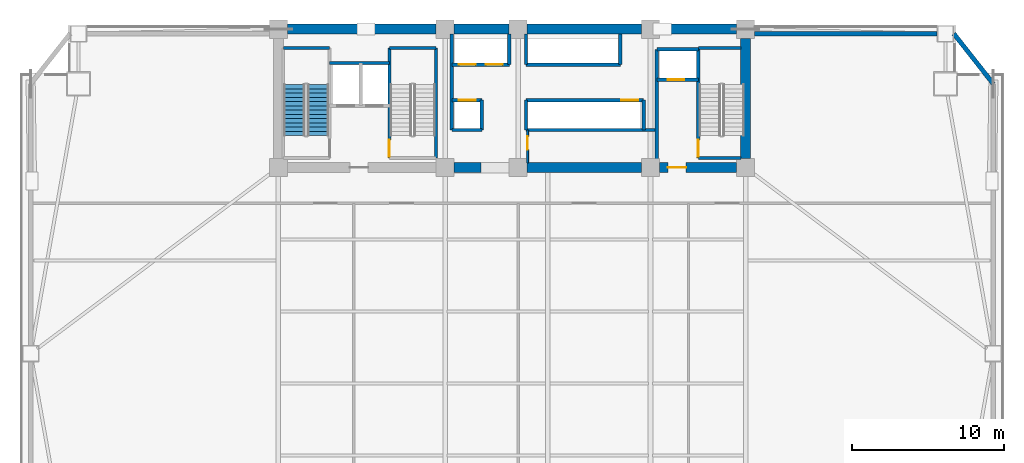
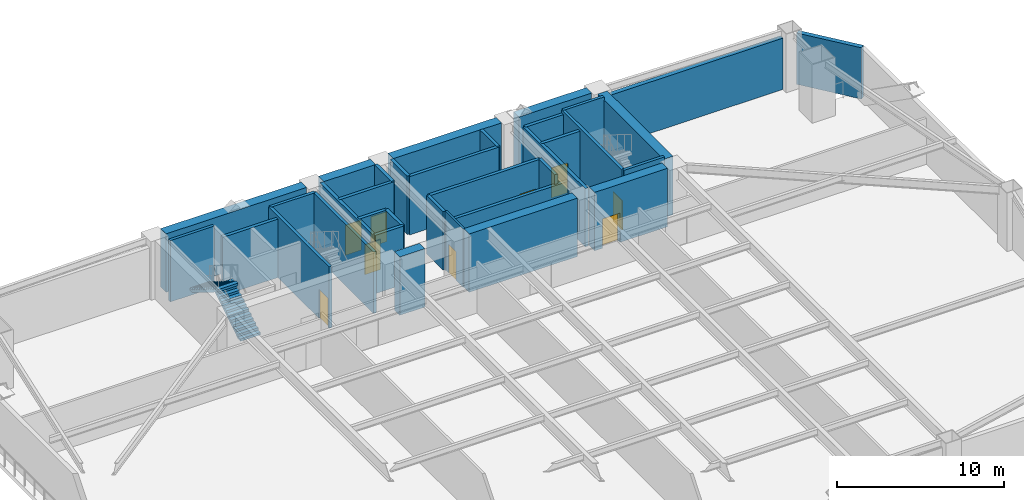
# One storey, part 3 of 9: 35 walls, 9 doors, 2 stair flights, 9 openings, 1 element without a shape of its own.
"""IFC4 building model written with IfcOpenShell, lengths in metres."""

from ifc_helpers import new_model, si_unit, direction, frame, frame_2d, origin, place, context, subcontext, project, spatial, polyline, rectangle, outline, extrude, source, transform, mapped, material, layer, layer_set, type_object, element, fill, aggregate, save


model = new_model("IFC4")

# Units and contexts
model_context = context("Model", 3, precision=1e-05, world=origin(), true_north=direction((0.0, 1.0)))
body_context = subcontext(model_context, "Body", "Model", "MODEL_VIEW")
ifc_project = project(units=[si_unit("LENGTHUNIT", "METRE"), si_unit("AREAUNIT", "SQUARE_METRE"), si_unit("VOLUMEUNIT", "CUBIC_METRE"), si_unit("PLANEANGLEUNIT", "RADIAN"), si_unit("MASSUNIT", "GRAM", prefix="KILO")], contexts=[model_context])

# Site, building, storey
site_placement = place(None, origin())
site = spatial("IfcSite", under=ifc_project, at=site_placement, CompositionType="ELEMENT")
building_placement = place(site_placement, origin())
building = spatial("IfcBuilding", under=site, at=building_placement, Name="Giltprow Tower", CompositionType="ELEMENT")
storey_placement = place(building_placement, frame((0.0, 0.0, 48.800048828125)))
storey = spatial("IfcBuildingStorey", under=building, at=storey_placement, Name="L12", CompositionType="ELEMENT", Elevation=48.800048828125)

# Walls
ifc_material_1 = material(Name="Precast concrete C40", Category="concrete")
ifc_layer_1 = layer(ifc_material_1, 0.300048828125, Name="Precast concrete C40")
ifc_layer_set_1 = layer_set([ifc_layer_1], Name="Precast concrete C40")
wall_type_1 = type_object("IfcWallType", Name="EW-NOTCH-CHAMFER-300", PredefinedType="SOLIDWALL", material=ifc_layer_set_1)
wall_1_placement = place(storey_placement, frame((66.830078125, 42.951904296875, 0.0), z_axis=(0.0, 0.0, 1.0), x_axis=(-0.618820039529, 0.785532786507, 0.0)))
element("IfcWall", 1, at=wall_1_placement, inside=storey, type_object=wall_type_1, Name="L12 Corner Notch Wall NE", PredefinedType="SOLIDWALL", context=body_context, shape_type="SweptSolid", body=[
    extrude(rectangle(XDim=4.198486328125, YDim=0.300048828125, at=frame_2d((2.09912109375, 0.0))), origin(), (0.0, 0.0, 1.0), 3.760009765625),
])
ifc_layer_2 = layer(ifc_material_1, 0.300048828125, Name="Precast concrete C40")
ifc_layer_set_2 = layer_set([ifc_layer_2], Name="Precast concrete C40")
wall_type_2 = type_object("IfcWallType", Name="EW-REF-LOUVRE-300", PredefinedType="SOLIDWALL", material=ifc_layer_set_2)
wall_2_placement = place(storey_placement, frame((51.14990234375, 46.25, 0.0), z_axis=(0.0, 0.0, 1.0), x_axis=(1.0, 0.0, 0.0)))
element("IfcWall", 2, at=wall_2_placement, inside=storey, type_object=wall_type_2, Name="L12 North-East Wing Wall", PredefinedType="SOLIDWALL", context=body_context, shape_type="SweptSolid", body=[
    extrude(rectangle(XDim=11.982177734375, YDim=0.300048828125, at=frame_2d((5.9912109375, 0.0))), origin(), (0.0, 0.0, 1.0), 3.760009765625),
])
ifc_material_2 = material(Name="Concrete C40", Category="concrete")
ifc_layer_3 = layer(ifc_material_2, 0.219970703125, Name="Concrete C40")
ifc_layer_set_3 = layer_set([ifc_layer_3], Name="Concrete C40")
wall_type_3 = type_object("IfcWallType", Name="IW-SHAFT-220", PredefinedType="SOLIDWALL", material=ifc_layer_set_3)
wall_3_placement = place(storey_placement, frame((23.219970703125, 44.320068359375, 0.0), z_axis=(0.0, 0.0, 1.0), x_axis=(1.0, 0.0, 0.0)))
element("IfcWall", 3, at=wall_3_placement, inside=storey, type_object=wall_type_3, Name="L12 FFL1-SVL1 Back Shaft Wall", PredefinedType="SOLIDWALL", context=body_context, shape_type="SweptSolid", body=[
    extrude(rectangle(XDim=3.919921875, YDim=0.219970703125, at=frame_2d((1.9599609375, 0.0))), origin(), (0.0, 0.0, 1.0), 4.280029296875),
])

# Wall, opening, door
wall_4_placement = place(storey_placement, frame((44.719970703125, 43.219970703125, 0.0), z_axis=(0.0, 0.0, 1.0), x_axis=(1.0, 0.0, 0.0)))
wall_4 = element("IfcWall", 4, at=wall_4_placement, inside=storey, type_object=wall_type_3, Name="L12 FFL2 Front Shaft Wall", PredefinedType="SOLIDWALL", context=body_context, shape_type="SweptSolid", body=[
    extrude(rectangle(XDim=2.719970703125, YDim=0.219970703125, at=frame_2d((1.35986328125, 0.0))), origin(), (0.0, 0.0, 1.0), 4.280029296875),
])
opening_1_placement = place(wall_4_placement, frame((0.699951171875, 0.0, 0.0)))
opening_1 = element("IfcOpeningElement", 5, at=opening_1_placement, cuts=wall_4, Name="Opening LD-11", PredefinedType="OPENING", context=body_context, shape_type="SweptSolid", body=[
    extrude(rectangle(XDim=1.10009765625, YDim=2.199951171875, at=frame_2d((0.550048828125, 1.10009765625))), frame((0.0, 0.119873046875, 0.0), z_axis=(0.0, -1.0, 0.0), x_axis=(1.0, 0.0, 0.0)), (0.0, 0.0, 1.0), 0.239990234375),
])
ifc_material_3 = material(Name="Stainless steel", Category="steel")
door_type_1 = type_object("IfcDoorType", Name="DR-LIFT-LD1100", OperationType="SLIDING_TO_LEFT", PredefinedType="DOOR", material=ifc_material_3)
shared_shape_1 = source(origin(), body_context, "Body", "SweptSolid", [
    extrude(rectangle(XDim=1.10009765625, YDim=2.199951171875, at=frame_2d((0.550048828125, 1.10009765625))), frame((0.0, 0.02490234375, 0.0), z_axis=(0.0, -1.0, 0.0), x_axis=(1.0, 0.0, 0.0)), (0.0, 0.0, 1.0), 0.050048828125),
])
door_1_placement = place(opening_1_placement, origin())
door_1 = element("IfcDoor", 6, at=door_1_placement, inside=storey, type_object=door_type_1, Name="L12 FFL2 Landing Door", OperationType="SLIDING_TO_LEFT", OverallHeight=2.199951171875, OverallWidth=1.10009765625, PredefinedType="DOOR", context=body_context, shape_type="MappedRepresentation", body=[
    mapped(shared_shape_1, transform((0.0, 0.0, 0.0), x_axis=(1.0, 0.0, 0.0), y_axis=(0.0, 1.0, 0.0), z_axis=(0.0, 0.0, 1.0), scale=1.0)),
])
fill(opening_1, door_1)

# Walls
wall_5_placement = place(storey_placement, frame((44.719970703125, 45.219970703125, 0.0), z_axis=(0.0, 0.0, 1.0), x_axis=(1.0, 0.0, 0.0)))
element("IfcWall", 7, at=wall_5_placement, inside=storey, type_object=wall_type_3, Name="L12 FFL2 Back Shaft Wall", PredefinedType="SOLIDWALL", context=body_context, shape_type="SweptSolid", body=[
    extrude(rectangle(XDim=2.719970703125, YDim=0.219970703125, at=frame_2d((1.35986328125, 0.0))), origin(), (0.0, 0.0, 1.0), 4.280029296875),
])
wall_6_placement = place(storey_placement, frame((44.719970703125, 37.7548828125, 0.0), z_axis=(0.0, 0.0, 1.0), x_axis=(0.0, 1.0, 0.0)))
element("IfcWall", 8, at=wall_6_placement, inside=storey, type_object=wall_type_3, Name="L12 East Firefighting Lobby West Wall", PredefinedType="SOLIDWALL", context=body_context, shape_type="SweptSolid", body=[
    extrude(rectangle(XDim=7.465087890625, YDim=0.219970703125, at=frame_2d((3.732421875, 0.0))), origin(), (0.0, 0.0, 1.0), 4.280029296875),
])

# Wall, openings, doors
wall_7_placement = place(storey_placement, frame((31.25, 44.219970703125, 0.0), z_axis=(0.0, 0.0, 1.0), x_axis=(1.0, 0.0, 0.0)))
wall_7 = element("IfcWall", 9, at=wall_7_placement, inside=storey, type_object=wall_type_3, Name="L12 North West Lift Shaft Front Wall", PredefinedType="SOLIDWALL", context=body_context, shape_type="SweptSolid", body=[
    extrude(rectangle(XDim=3.77001953125, YDim=0.219970703125, at=frame_2d((1.885009765625, 0.0))), origin(), (0.0, 0.0, 1.0), 4.280029296875),
])
opening_2_placement = place(wall_7_placement, frame((0.4599609375, 0.0, 0.0)))
opening_2 = element("IfcOpeningElement", 10, at=opening_2_placement, cuts=wall_7, Name="Opening LD-11", PredefinedType="OPENING", context=body_context, shape_type="SweptSolid", body=[
    extrude(rectangle(XDim=1.10009765625, YDim=2.199951171875, at=frame_2d((0.550048828125, 1.10009765625))), frame((0.0, 0.119873046875, 0.0), z_axis=(0.0, -1.0, 0.0), x_axis=(1.0, 0.0, 0.0)), (0.0, 0.0, 1.0), 0.239990234375),
])
opening_3_placement = place(wall_7_placement, frame((2.239990234375, 0.0, 0.0)))
opening_3 = element("IfcOpeningElement", 11, at=opening_3_placement, cuts=wall_7, Name="Opening LD-11", PredefinedType="OPENING", context=body_context, shape_type="SweptSolid", body=[
    extrude(rectangle(XDim=1.10009765625, YDim=2.199951171875, at=frame_2d((0.550048828125, 1.10009765625))), frame((0.0, 0.119873046875, 0.0), z_axis=(0.0, -1.0, 0.0), x_axis=(1.0, 0.0, 0.0)), (0.0, 0.0, 1.0), 0.239990234375),
])
door_2_placement = place(opening_2_placement, origin())
door_2 = element("IfcDoor", 12, at=door_2_placement, inside=storey, type_object=door_type_1, Name="L12 PL-L1 Landing Door", OperationType="SLIDING_TO_LEFT", OverallHeight=2.199951171875, OverallWidth=1.10009765625, PredefinedType="DOOR", context=body_context, shape_type="MappedRepresentation", body=[
    mapped(shared_shape_1, transform((0.0, 0.0, 0.0), x_axis=(1.0, 0.0, 0.0), y_axis=(0.0, 1.0, 0.0), z_axis=(0.0, 0.0, 1.0), scale=1.0)),
])
fill(opening_2, door_2)
door_3_placement = place(opening_3_placement, origin())
door_3 = element("IfcDoor", 13, at=door_3_placement, inside=storey, type_object=door_type_1, Name="L12 PL-L2 Landing Door", OperationType="SLIDING_TO_LEFT", OverallHeight=2.199951171875, OverallWidth=1.10009765625, PredefinedType="DOOR", context=body_context, shape_type="MappedRepresentation", body=[
    mapped(shared_shape_1, transform((0.0, 0.0, 0.0), x_axis=(1.0, 0.0, 0.0), y_axis=(0.0, 1.0, 0.0), z_axis=(0.0, 0.0, 1.0), scale=1.0)),
])
fill(opening_3, door_3)

# Walls
wall_8_placement = place(storey_placement, frame((36.1201171875, 44.219970703125, 0.0), z_axis=(0.0, 0.0, 1.0), x_axis=(1.0, 0.0, 0.0)))
element("IfcWall", 14, at=wall_8_placement, inside=storey, type_object=wall_type_3, Name="L12 North East Lift Shaft Front Wall", PredefinedType="SOLIDWALL", context=body_context, shape_type="SweptSolid", body=[
    extrude(rectangle(XDim=6.199951171875, YDim=0.219970703125, at=frame_2d((3.10009765625, 0.0))), origin(), (0.0, 0.0, 1.0), 4.280029296875),
])
for number, where, z_axis, x_axis, name in (
    (15, (35.02001953125, 44.219970703125, 0.0), (0.0, 0.0, 1.0), (0.0, 1.0, 0.0), "L12 North West Lift Shaft East Closure"),
    (16, (36.1201171875, 44.219970703125, 0.0), (0.0, 0.0, 1.0), (0.0, 1.0, 0.0), "L12 North East Lift Shaft West Closure"),
    (17, (42.320068359375, 44.219970703125, 0.0), (0.0, 0.0, 1.0), (0.0, 1.0, 0.0), "L12 North East Lift Shaft East Closure"),
):
    element("IfcWall", number, at=place(storey_placement, frame(where, z_axis=z_axis, x_axis=x_axis)), inside=storey, type_object=wall_type_3, Name=name, PredefinedType="SOLIDWALL", context=body_context, shape_type="SweptSolid", body=[
        extrude(rectangle(XDim=2.025146484375, YDim=0.219970703125, at=frame_2d((1.0126953125, 0.0))), origin(), (0.0, 0.0, 1.0), 4.280029296875),
    ])

# Wall, opening, door
wall_9_placement = place(storey_placement, frame((31.25, 41.8798828125, 0.0), z_axis=(0.0, 0.0, 1.0), x_axis=(1.0, 0.0, 0.0)))
wall_9 = element("IfcWall", 18, at=wall_9_placement, inside=storey, type_object=wall_type_3, Name="L12 South West Lift Shaft Front Wall", PredefinedType="SOLIDWALL", context=body_context, shape_type="SweptSolid", body=[
    extrude(rectangle(XDim=1.969970703125, YDim=0.219970703125, at=frame_2d((0.98486328125, 0.0))), origin(), (0.0, 0.0, 1.0), 4.280029296875),
])
opening_4_placement = place(wall_9_placement, frame((0.4599609375, 0.0, 0.0)))
opening_4 = element("IfcOpeningElement", 19, at=opening_4_placement, cuts=wall_9, Name="Opening LD-11", PredefinedType="OPENING", context=body_context, shape_type="SweptSolid", body=[
    extrude(rectangle(XDim=1.10009765625, YDim=2.199951171875, at=frame_2d((0.550048828125, 1.10009765625))), frame((0.0, 0.119873046875, 0.0), z_axis=(0.0, -1.0, 0.0), x_axis=(1.0, 0.0, 0.0)), (0.0, 0.0, 1.0), 0.239990234375),
])
door_4_placement = place(opening_4_placement, origin())
door_4 = element("IfcDoor", 20, at=door_4_placement, inside=storey, type_object=door_type_1, Name="L12 PL-L3 Landing Door", OperationType="SLIDING_TO_LEFT", OverallHeight=2.199951171875, OverallWidth=1.10009765625, PredefinedType="DOOR", context=body_context, shape_type="MappedRepresentation", body=[
    mapped(shared_shape_1, transform((0.0, 0.0, 0.0), x_axis=(1.0, 0.0, 0.0), y_axis=(0.0, 1.0, 0.0), z_axis=(0.0, 0.0, 1.0), scale=1.0)),
])
fill(opening_4, door_4)

wall_10_placement = place(storey_placement, frame((36.1201171875, 41.8798828125, 0.0), z_axis=(0.0, 0.0, 1.0), x_axis=(1.0, 0.0, 0.0)))
wall_10 = element("IfcWall", 21, at=wall_10_placement, inside=storey, type_object=wall_type_3, Name="L12 South East Lift Shaft Front Wall", PredefinedType="SOLIDWALL", context=body_context, shape_type="SweptSolid", body=[
    extrude(rectangle(XDim=7.72998046875, YDim=0.219970703125, at=frame_2d((3.864990234375, 0.0))), origin(), (0.0, 0.0, 1.0), 4.280029296875),
])
opening_5_placement = place(wall_10_placement, frame((6.260009765625, 0.0, 0.0)))
opening_5 = element("IfcOpeningElement", 22, at=opening_5_placement, cuts=wall_10, Name="Opening LD-11", PredefinedType="OPENING", context=body_context, shape_type="SweptSolid", body=[
    extrude(rectangle(XDim=1.10009765625, YDim=2.199951171875, at=frame_2d((0.550048828125, 1.10009765625))), frame((0.0, 0.119873046875, 0.0), z_axis=(0.0, -1.0, 0.0), x_axis=(1.0, 0.0, 0.0)), (0.0, 0.0, 1.0), 0.239990234375),
])
door_5_placement = place(opening_5_placement, origin())
door_5 = element("IfcDoor", 23, at=door_5_placement, inside=storey, type_object=door_type_1, Name="L12 PL-L4 Landing Door", OperationType="SLIDING_TO_LEFT", OverallHeight=2.199951171875, OverallWidth=1.10009765625, PredefinedType="DOOR", context=body_context, shape_type="MappedRepresentation", body=[
    mapped(shared_shape_1, transform((0.0, 0.0, 0.0), x_axis=(1.0, 0.0, 0.0), y_axis=(0.0, 1.0, 0.0), z_axis=(0.0, 0.0, 1.0), scale=1.0)),
])
fill(opening_5, door_5)

# Walls
wall_11_placement = place(storey_placement, frame((31.25, 39.919921875, 0.0), z_axis=(0.0, 0.0, 1.0), x_axis=(1.0, 0.0, 0.0)))
element("IfcWall", 24, at=wall_11_placement, inside=storey, type_object=wall_type_3, Name="L12 Low-Rise South Lift Back Wall", PredefinedType="SOLIDWALL", context=body_context, shape_type="SweptSolid", body=[
    extrude(rectangle(XDim=1.969970703125, YDim=0.219970703125, at=frame_2d((0.98486328125, 0.0))), origin(), (0.0, 0.0, 1.0), 4.280029296875),
])
wall_12_placement = place(storey_placement, frame((33.219970703125, 39.919921875, 0.0), z_axis=(0.0, 0.0, 1.0), x_axis=(0.0, 1.0, 0.0)))
element("IfcWall", 25, at=wall_12_placement, inside=storey, type_object=wall_type_3, Name="L12 Low-Rise South Lift East Closure", PredefinedType="SOLIDWALL", context=body_context, shape_type="SweptSolid", body=[
    extrude(rectangle(XDim=1.9599609375, YDim=0.219970703125, at=frame_2d((0.97998046875, 0.0))), origin(), (0.0, 0.0, 1.0), 4.280029296875),
])
wall_13_placement = place(storey_placement, frame((36.1201171875, 39.919921875, 0.0), z_axis=(0.0, 0.0, 1.0), x_axis=(1.0, 0.0, 0.0)))
element("IfcWall", 26, at=wall_13_placement, inside=storey, type_object=wall_type_3, Name="L12 Express South Shaft Back Wall", PredefinedType="SOLIDWALL", context=body_context, shape_type="SweptSolid", body=[
    extrude(rectangle(XDim=8.599853515625, YDim=0.219970703125, at=frame_2d((4.2998046875, 0.0))), origin(), (0.0, 0.0, 1.0), 3.56494140625),
])
wall_14_placement = place(storey_placement, frame((36.1201171875, 39.919921875, 0.0), z_axis=(0.0, 0.0, 1.0), x_axis=(0.0, 1.0, 0.0)))
element("IfcWall", 27, at=wall_14_placement, inside=storey, type_object=wall_type_3, Name="L12 Express South Shaft West Closure", PredefinedType="SOLIDWALL", context=body_context, shape_type="SweptSolid", body=[
    extrude(rectangle(XDim=1.9599609375, YDim=0.219970703125, at=frame_2d((0.97998046875, 0.0))), origin(), (0.0, 0.0, 1.0), 4.280029296875),
])
wall_15_placement = place(storey_placement, frame((31.25, 39.919921875, 0.0), z_axis=(0.0, 0.0, 1.0), x_axis=(0.0, 1.0, 0.0)))
element("IfcWall", 28, at=wall_15_placement, inside=storey, type_object=wall_type_3, Name="L12 Lift Bank West Closure", PredefinedType="SOLIDWALL", context=body_context, shape_type="SweptSolid", body=[
    extrude(rectangle(XDim=6.3251953125, YDim=0.219970703125, at=frame_2d((3.16259765625, 0.0))), origin(), (0.0, 0.0, 1.0), 4.280029296875),
])
wall_16_placement = place(storey_placement, frame((43.85009765625, 39.919921875, 0.0), z_axis=(0.0, 0.0, 1.0), x_axis=(0.0, 1.0, 0.0)))
element("IfcWall", 29, at=wall_16_placement, inside=storey, type_object=wall_type_3, Name="L12 Lift Bank South-East Closure", PredefinedType="SOLIDWALL", context=body_context, shape_type="SweptSolid", body=[
    extrude(rectangle(XDim=1.9599609375, YDim=0.219970703125, at=frame_2d((0.97998046875, 0.0))), origin(), (0.0, 0.0, 1.0), 4.280029296875),
])
ifc_layer_4 = layer(ifc_material_2, 0.199951171875, Name="Concrete C40")
ifc_layer_set_4 = layer_set([ifc_layer_4], Name="Concrete C40")
wall_type_4 = type_object("IfcWallType", Name="IW-STAIR-200", PredefinedType="SOLIDWALL", material=ifc_layer_set_4)
wall_17_placement = place(storey_placement, frame((20.169921875, 45.320068359375, 0.0), z_axis=(0.0, 0.0, 1.0), x_axis=(1.0, 0.0, 0.0)))
element("IfcWall", 30, at=wall_17_placement, inside=storey, type_object=wall_type_4, Name="L12 Stair ST-1 North Bearing Wall", PredefinedType="SOLIDWALL", context=body_context, shape_type="SweptSolid", body=[
    extrude(rectangle(XDim=3.050048828125, YDim=0.199951171875, at=frame_2d((1.52490234375, 0.0))), origin(), (0.0, 0.0, 1.0), 4.5),
])

# Wall, opening, door
wall_18_placement = place(storey_placement, frame((27.139892578125, 38.070068359375, 0.0), z_axis=(0.0, 0.0, 1.0), x_axis=(0.0, 1.0, 0.0)))
wall_18 = element("IfcWall", 31, at=wall_18_placement, inside=storey, type_object=wall_type_4, Name="L12 Stair ST-2 West Bearing Wall", PredefinedType="SOLIDWALL", context=body_context, shape_type="SweptSolid", body=[
    extrude(rectangle(XDim=7.25, YDim=0.199951171875, at=frame_2d((3.625, 0.0))), origin(), (0.0, 0.0, 1.0), 4.5),
])
opening_6_placement = place(wall_18_placement, frame((0.110107421875, 0.0, 0.0)))
opening_6 = element("IfcOpeningElement", 32, at=opening_6_placement, cuts=wall_18, Name="Opening ID33", PredefinedType="OPENING", context=body_context, shape_type="SweptSolid", body=[
    extrude(rectangle(XDim=1.10009765625, YDim=2.14990234375, at=frame_2d((0.550048828125, 1.074951171875))), frame((0.0, 0.10986328125, 0.0), z_axis=(0.0, -1.0, 0.0), x_axis=(1.0, 0.0, 0.0)), (0.0, 0.0, 1.0), 0.219970703125),
])
ifc_material_4 = material(Name="Steel fire leaf", Category="steel")
door_type_2 = type_object("IfcDoorType", Name="DR-STAIR-1100", OperationType="SINGLE_SWING_LEFT", PredefinedType="DOOR", material=ifc_material_4)
shared_shape_2 = source(origin(), body_context, "Body", "SweptSolid", [
    extrude(rectangle(XDim=1.10009765625, YDim=2.14990234375, at=frame_2d((0.550048828125, 1.074951171875))), frame((0.0, 0.02490234375, 0.0), z_axis=(0.0, -1.0, 0.0), x_axis=(1.0, 0.0, 0.0)), (0.0, 0.0, 1.0), 0.050048828125),
])
door_6_placement = place(opening_6_placement, origin())
door_6 = element("IfcDoor", 33, at=door_6_placement, inside=storey, type_object=door_type_2, Name="L12 Stair ST-2 Fire Door", OperationType="SINGLE_SWING_LEFT", OverallHeight=2.14990234375, OverallWidth=1.10009765625, PredefinedType="DOOR", context=body_context, shape_type="MappedRepresentation", body=[
    mapped(shared_shape_2, transform((0.0, 0.0, 0.0), x_axis=(1.0, 0.0, 0.0), y_axis=(0.0, 1.0, 0.0), z_axis=(0.0, 0.0, 1.0), scale=1.0)),
])
fill(opening_6, door_6)

# Walls
wall_19_placement = place(storey_placement, frame((30.219970703125, 38.070068359375, 0.0), z_axis=(0.0, 0.0, 1.0), x_axis=(0.0, 1.0, 0.0)))
element("IfcWall", 34, at=wall_19_placement, inside=storey, type_object=wall_type_4, Name="L12 Stair ST-2 East Bearing Wall", PredefinedType="SOLIDWALL", context=body_context, shape_type="SweptSolid", body=[
    extrude(rectangle(XDim=7.25, YDim=0.199951171875, at=frame_2d((3.625, 0.0))), origin(), (0.0, 0.0, 1.0), 4.5),
])
wall_20_placement = place(storey_placement, frame((27.139892578125, 45.320068359375, 0.0), z_axis=(0.0, 0.0, 1.0), x_axis=(1.0, 0.0, 0.0)))
element("IfcWall", 35, at=wall_20_placement, inside=storey, type_object=wall_type_4, Name="L12 Stair ST-2 North Bearing Wall", PredefinedType="SOLIDWALL", context=body_context, shape_type="SweptSolid", body=[
    extrude(rectangle(XDim=3.080078125, YDim=0.199951171875, at=frame_2d((1.5400390625, 0.0))), origin(), (0.0, 0.0, 1.0), 4.5),
])

# Wall, opening, door
wall_21_placement = place(storey_placement, frame((47.43994140625, 38.070068359375, 0.0), z_axis=(0.0, 0.0, 1.0), x_axis=(0.0, 1.0, 0.0)))
wall_21 = element("IfcWall", 36, at=wall_21_placement, inside=storey, type_object=wall_type_4, Name="L12 Stair ST-3 West Bearing Wall", PredefinedType="SOLIDWALL", context=body_context, shape_type="SweptSolid", body=[
    extrude(rectangle(XDim=7.25, YDim=0.199951171875, at=frame_2d((3.625, 0.0))), origin(), (0.0, 0.0, 1.0), 4.5),
])
opening_7_placement = place(wall_21_placement, frame((0.110107421875, 0.0, 0.0)))
opening_7 = element("IfcOpeningElement", 37, at=opening_7_placement, cuts=wall_21, Name="Opening ID33", PredefinedType="OPENING", context=body_context, shape_type="SweptSolid", body=[
    extrude(rectangle(XDim=1.10009765625, YDim=2.14990234375, at=frame_2d((0.550048828125, 1.074951171875))), frame((0.0, 0.10986328125, 0.0), z_axis=(0.0, -1.0, 0.0), x_axis=(1.0, 0.0, 0.0)), (0.0, 0.0, 1.0), 0.219970703125),
])
door_7_placement = place(opening_7_placement, origin())
door_7 = element("IfcDoor", 38, at=door_7_placement, inside=storey, type_object=door_type_2, Name="L12 Stair ST-3 Fire Door", OperationType="SINGLE_SWING_RIGHT", OverallHeight=2.14990234375, OverallWidth=1.10009765625, PredefinedType="DOOR", context=body_context, shape_type="MappedRepresentation", body=[
    mapped(shared_shape_2, transform((0.0, 0.0, 0.0), x_axis=(1.0, 0.0, 0.0), y_axis=(0.0, 1.0, 0.0), z_axis=(0.0, 0.0, 1.0), scale=1.0)),
])
fill(opening_7, door_7)

# Walls
for number, where, z_axis, x_axis, name in (
    (39, (47.43994140625, 45.320068359375, 0.0), (0.0, 0.0, 1.0), (1.0, 0.0, 0.0), "L12 Stair ST-3 North Bearing Wall"),
    (40, (47.43994140625, 38.070068359375, 0.0), (0.0, 0.0, 1.0), (1.0, 0.0, 0.0), "L12 Stair ST-3 South Bearing Wall"),
):
    element("IfcWall", number, at=place(storey_placement, frame(where, z_axis=z_axis, x_axis=x_axis)), inside=storey, type_object=wall_type_4, Name=name, PredefinedType="SOLIDWALL", context=body_context, shape_type="SweptSolid", body=[
        extrude(rectangle(XDim=2.80517578125, YDim=0.199951171875, at=frame_2d((1.402587890625, 0.0))), origin(), (0.0, 0.0, 1.0), 4.5),
    ])

# Wall, opening, door
ifc_material_5 = material(Name="Concrete C30", Category="concrete")
ifc_layer_5 = layer(ifc_material_5, 0.1298828125, Name="Concrete C30")
ifc_layer_set_5 = layer_set([ifc_layer_5], Name="Concrete C30")
wall_type_5 = type_object("IfcWallType", Name="IW-WET-130", PredefinedType="PARTITIONING", material=ifc_layer_set_5)
wall_22_placement = place(storey_placement, frame((36.219970703125, 37.7548828125, 0.0), z_axis=(0.0, 0.0, 1.0), x_axis=(0.0, 1.0, 0.0)))
wall_22 = element("IfcWall", 41, at=wall_22_placement, inside=storey, type_object=wall_type_5, Name="L12 Core Suite West Wall", PredefinedType="PARTITIONING", context=body_context, shape_type="SweptSolid", body=[
    extrude(rectangle(XDim=2.1650390625, YDim=0.1298828125, at=frame_2d((1.08251953125, 0.0))), origin(), (0.0, 0.0, 1.0), 4.280029296875),
])
opening_8_placement = place(wall_22_placement, frame((0.85498046875, 0.0, 0.0)))
opening_8 = element("IfcOpeningElement", 42, at=opening_8_placement, cuts=wall_22, Name="Opening ID35", PredefinedType="OPENING", context=body_context, shape_type="SweptSolid", body=[
    extrude(rectangle(XDim=0.89990234375, YDim=2.10009765625, at=frame_2d((0.449951171875, 1.050048828125))), frame((0.0, 0.074951171875, 0.0), z_axis=(0.0, -1.0, 0.0), x_axis=(1.0, 0.0, 0.0)), (0.0, 0.0, 1.0), 0.14990234375),
])
door_type_3 = type_object("IfcDoorType", Name="DR-SHAFT-900", OperationType="SINGLE_SWING_LEFT", PredefinedType="DOOR", material=ifc_material_4)
shared_shape_3 = source(origin(), body_context, "Body", "SweptSolid", [
    extrude(rectangle(XDim=0.89990234375, YDim=2.10009765625, at=frame_2d((0.449951171875, 1.050048828125))), frame((0.0, 0.02490234375, 0.0), z_axis=(0.0, -1.0, 0.0), x_axis=(1.0, 0.0, 0.0)), (0.0, 0.0, 1.0), 0.050048828125),
])
door_8_placement = place(opening_8_placement, origin())
door_8 = element("IfcDoor", 43, at=door_8_placement, inside=storey, type_object=door_type_3, Name="L12 Core Staff Washroom Door", OperationType="SINGLE_SWING_RIGHT", OverallHeight=2.10009765625, OverallWidth=0.89990234375, PredefinedType="DOOR", context=body_context, shape_type="MappedRepresentation", body=[
    mapped(shared_shape_3, transform((0.0, 0.0, 0.0), x_axis=(1.0, 0.0, 0.0), y_axis=(0.0, 1.0, 0.0), z_axis=(0.0, 0.0, 1.0), scale=1.0)),
])
fill(opening_8, door_8)

# Walls
ifc_material_6 = material(Name="Concrete C60", Category="concrete")
ifc_layer_6 = layer(ifc_material_6, 0.64990234375, Name="Concrete C60")
ifc_layer_set_6 = layer_set([ifc_layer_6], Name="Concrete C60")
wall_type_6 = type_object("IfcWallType", Name="SW-EXT-650-C60", PredefinedType="SHEAR", material=ifc_layer_set_6)
wall_23_placement = place(storey_placement, frame((20.449951171875, 46.550048828125, 0.0), z_axis=(0.0, 0.0, 1.0), x_axis=(1.0, 0.0, 0.0)))
element("IfcWall", 44, at=wall_23_placement, inside=storey, type_object=wall_type_6, Name="L12 North Rear Core Shear Wall 1", PredefinedType="SHEAR", context=body_context, shape_type="SweptSolid", body=[
    extrude(rectangle(XDim=9.75, YDim=0.64990234375, at=frame_2d((4.875, 0.0))), origin(), (0.0, 0.0, 1.0), 4.280029296875),
])
wall_24_placement = place(storey_placement, frame((31.39990234375, 46.550048828125, 0.0), z_axis=(0.0, 0.0, 1.0), x_axis=(1.0, 0.0, 0.0)))
element("IfcWall", 45, at=wall_24_placement, inside=storey, type_object=wall_type_6, Name="L12 North Rear Core Shear Wall 2", PredefinedType="SHEAR", context=body_context, shape_type="SweptSolid", body=[
    extrude(rectangle(XDim=3.60009765625, YDim=0.64990234375, at=frame_2d((1.800048828125, 0.0))), origin(), (0.0, 0.0, 1.0), 4.280029296875),
])
wall_25_placement = place(storey_placement, frame((36.199951171875, 46.550048828125, 0.0), z_axis=(0.0, 0.0, 1.0), x_axis=(1.0, 0.0, 0.0)))
element("IfcWall", 46, at=wall_25_placement, inside=storey, type_object=wall_type_6, Name="L12 North Rear Core Shear Wall 3", PredefinedType="SHEAR", context=body_context, shape_type="SweptSolid", body=[
    extrude(rectangle(XDim=7.5, YDim=0.64990234375, at=frame_2d((3.75, 0.0))), origin(), (0.0, 0.0, 1.0), 4.280029296875),
])
wall_26_placement = place(storey_placement, frame((44.89990234375, 46.550048828125, 0.0), z_axis=(0.0, 0.0, 1.0), x_axis=(1.0, 0.0, 0.0)))
element("IfcWall", 47, at=wall_26_placement, inside=storey, type_object=wall_type_6, Name="L12 North Rear Core Shear Wall 4", PredefinedType="SHEAR", context=body_context, shape_type="SweptSolid", body=[
    extrude(rectangle(XDim=5.050048828125, YDim=0.64990234375, at=frame_2d((2.52490234375, 0.0))), origin(), (0.0, 0.0, 1.0), 4.280029296875),
])
ifc_layer_7 = layer(ifc_material_6, 0.64990234375, Name="Concrete C60")
ifc_layer_set_7 = layer_set([ifc_layer_7], Name="Concrete C60")
wall_type_7 = type_object("IfcWallType", Name="SW-INT-650-C60", PredefinedType="SHEAR", material=ifc_layer_set_7)
wall_27_placement = place(storey_placement, frame((31.39990234375, 37.449951171875, 0.0), z_axis=(0.0, 0.0, 1.0), x_axis=(1.0, 0.0, 0.0)))
element("IfcWall", 48, at=wall_27_placement, inside=storey, type_object=wall_type_7, Name="L12 South Rear Core Shear Wall Mid-West", PredefinedType="SHEAR", context=body_context, shape_type="SweptSolid", body=[
    extrude(rectangle(XDim=1.75, YDim=0.64990234375, at=frame_2d((0.875, 0.0))), origin(), (0.0, 0.0, 1.0), 4.280029296875),
])
wall_28_placement = place(storey_placement, frame((36.199951171875, 37.449951171875, 0.0), z_axis=(0.0, 0.0, 1.0), x_axis=(1.0, 0.0, 0.0)))
element("IfcWall", 49, at=wall_28_placement, inside=storey, type_object=wall_type_7, Name="L12 South Rear Core Shear Wall Mid-East", PredefinedType="SHEAR", context=body_context, shape_type="SweptSolid", body=[
    extrude(rectangle(XDim=7.5, YDim=0.64990234375, at=frame_2d((3.75, 0.0))), origin(), (0.0, 0.0, 1.0), 4.280029296875),
])

# Wall, opening, door
wall_29_placement = place(storey_placement, frame((44.89990234375, 37.449951171875, 0.0), z_axis=(0.0, 0.0, 1.0), x_axis=(1.0, 0.0, 0.0)))
wall_29 = element("IfcWall", 50, at=wall_29_placement, inside=storey, type_object=wall_type_7, Name="L12 South Rear Core Shear Wall East", PredefinedType="SHEAR", context=body_context, shape_type="SweptSolid", body=[
    extrude(rectangle(XDim=5.050048828125, YDim=0.64990234375, at=frame_2d((2.52490234375, 0.0))), origin(), (0.0, 0.0, 1.0), 4.280029296875),
])
opening_9_placement = place(wall_29_placement, frame((0.550048828125, 0.0, 0.0)))
opening_9 = element("IfcOpeningElement", 51, at=opening_9_placement, cuts=wall_29, Name="Opening ID19", PredefinedType="OPENING", context=body_context, shape_type="SweptSolid", body=[
    extrude(rectangle(XDim=1.199951171875, YDim=2.14990234375, at=frame_2d((0.60009765625, 1.074951171875))), frame((0.0, 0.3349609375, 0.0), z_axis=(0.0, -1.0, 0.0), x_axis=(1.0, 0.0, 0.0)), (0.0, 0.0, 1.0), 0.669921875),
])
door_type_4 = type_object("IfcDoorType", Name="DR-FFLOBBY-1200", OperationType="SINGLE_SWING_RIGHT", PredefinedType="DOOR", material=ifc_material_4)
shared_shape_4 = source(origin(), body_context, "Body", "SweptSolid", [
    extrude(rectangle(XDim=1.199951171875, YDim=2.14990234375, at=frame_2d((0.60009765625, 1.074951171875))), frame((0.0, 0.02490234375, 0.0), z_axis=(0.0, -1.0, 0.0), x_axis=(1.0, 0.0, 0.0)), (0.0, 0.0, 1.0), 0.050048828125),
])
door_9_placement = place(opening_9_placement, origin())
door_9 = element("IfcDoor", 52, at=door_9_placement, inside=storey, type_object=door_type_4, Name="L12 East Firefighting Lobby Entry Door", OperationType="SINGLE_SWING_RIGHT", OverallHeight=2.14990234375, OverallWidth=1.199951171875, PredefinedType="DOOR", context=body_context, shape_type="MappedRepresentation", body=[
    mapped(shared_shape_4, transform((0.0, 0.0, 0.0), x_axis=(1.0, 0.0, 0.0), y_axis=(0.0, 1.0, 0.0), z_axis=(0.0, 0.0, 1.0), scale=1.0)),
])
fill(opening_9, door_9)

# Wall
wall_30_placement = place(storey_placement, frame((50.550048828125, 38.050048828125, 0.0), z_axis=(0.0, 0.0, 1.0), x_axis=(0.0, 1.0, 0.0)))
element("IfcWall", 53, at=wall_30_placement, inside=storey, type_object=wall_type_7, Name="L12 E Rear Core Shear Wall", PredefinedType="SHEAR", context=body_context, shape_type="SweptSolid", body=[
    extrude(rectangle(XDim=7.89990234375, YDim=0.64990234375, at=frame_2d((3.949951171875, 0.0))), origin(), (0.0, 0.0, 1.0), 4.280029296875),
])

# Stair, stair flights
stair_type = type_object("IfcStairType", Name="STR-ST-1", PredefinedType="HALF_TURN_STAIR", material=ifc_material_2)
stair_placement = place(storey_placement, origin())
stair = element("IfcStair", 54, at=stair_placement, inside=storey, type_object=stair_type, Name="L12 Core Exit Stair ST-1", PredefinedType="HALF_TURN_STAIR")
stair_flight_type = type_object("IfcStairFlightType", Name="SFL-ST-1", PredefinedType="STRAIGHT", material=ifc_material_2)
stair_flight_1_placement = place(storey_placement, frame((22.4599609375, 39.550048828125, 0.0), z_axis=(0.0, 0.0, 1.0), x_axis=(0.0, 1.0, 0.0)))
stair_flight_1 = element("IfcStairFlight", 55, at=stair_flight_1_placement, type_object=stair_flight_type, Name="ST-1 flight 1", NumberOfRisers=13, NumberOfTreads=12, PredefinedType="STRAIGHT", RiserHeight=0.173076923, TreadLength=0.28, context=body_context, shape_type="SweptSolid", body=[
    extrude(outline(polyline([(0.0, 0.0), (0.0, 0.173095703125), (0.280029296875, 0.173095703125), (0.280029296875, 0.34619140625), (0.56005859375, 0.34619140625), (0.56005859375, 0.519287109375), (0.840087890625, 0.519287109375), (0.840087890625, 0.6923828125), (1.1201171875, 0.6923828125), (1.1201171875, 0.865478515625), (1.39990234375, 0.865478515625), (1.39990234375, 1.03857421875), (1.679931640625, 1.03857421875), (1.679931640625, 1.21142578125), (1.9599609375, 1.21142578125), (1.9599609375, 1.384521484375), (2.239990234375, 1.384521484375), (2.239990234375, 1.5576171875), (2.52001953125, 1.5576171875), (2.52001953125, 1.730712890625), (2.800048828125, 1.730712890625), (2.800048828125, 1.90380859375), (3.080078125, 1.90380859375), (3.080078125, 2.076904296875), (3.360107421875, 2.076904296875), (3.360107421875, 2.25), (3.360107421875, 1.900634765625), (0.28515625, 0.0), (0.0, 0.0)])), frame((0.0, 0.699951171875, 0.0), z_axis=(0.0, -1.0, 0.0), x_axis=(1.0, 0.0, 0.0)), (0.0, 0.0, 1.0), 1.39990234375),
])
stair_flight_2_placement = place(storey_placement, frame((20.89990234375, 42.909912109375, 2.25), z_axis=(0.0, 0.0, 1.0), x_axis=(0.0, -1.0, 0.0)))
stair_flight_2 = element("IfcStairFlight", 56, at=stair_flight_2_placement, type_object=stair_flight_type, Name="ST-1 flight 2", NumberOfRisers=13, NumberOfTreads=12, PredefinedType="STRAIGHT", RiserHeight=0.173076923, TreadLength=0.28, context=body_context, shape_type="SweptSolid", body=[
    extrude(outline(polyline([(0.0, 0.0), (0.0, 0.173095703125), (0.280029296875, 0.173095703125), (0.280029296875, 0.34619140625), (0.56005859375, 0.34619140625), (0.56005859375, 0.519287109375), (0.840087890625, 0.519287109375), (0.840087890625, 0.6923828125), (1.1201171875, 0.6923828125), (1.1201171875, 0.865478515625), (1.39990234375, 0.865478515625), (1.39990234375, 1.03857421875), (1.679931640625, 1.03857421875), (1.679931640625, 1.21142578125), (1.9599609375, 1.21142578125), (1.9599609375, 1.384521484375), (2.239990234375, 1.384521484375), (2.239990234375, 1.5576171875), (2.52001953125, 1.5576171875), (2.52001953125, 1.730712890625), (2.800048828125, 1.730712890625), (2.800048828125, 1.90380859375), (3.080078125, 1.90380859375), (3.080078125, 2.076904296875), (3.360107421875, 2.076904296875), (3.360107421875, 2.25), (3.360107421875, 1.900634765625), (0.28515625, 0.0), (0.0, 0.0)])), frame((0.0, 0.699951171875, 0.0), z_axis=(0.0, -1.0, 0.0), x_axis=(1.0, 0.0, 0.0)), (0.0, 0.0, 1.0), 1.39990234375),
])
aggregate(stair, [stair_flight_1, stair_flight_2])

save(model, "model.ifc")
